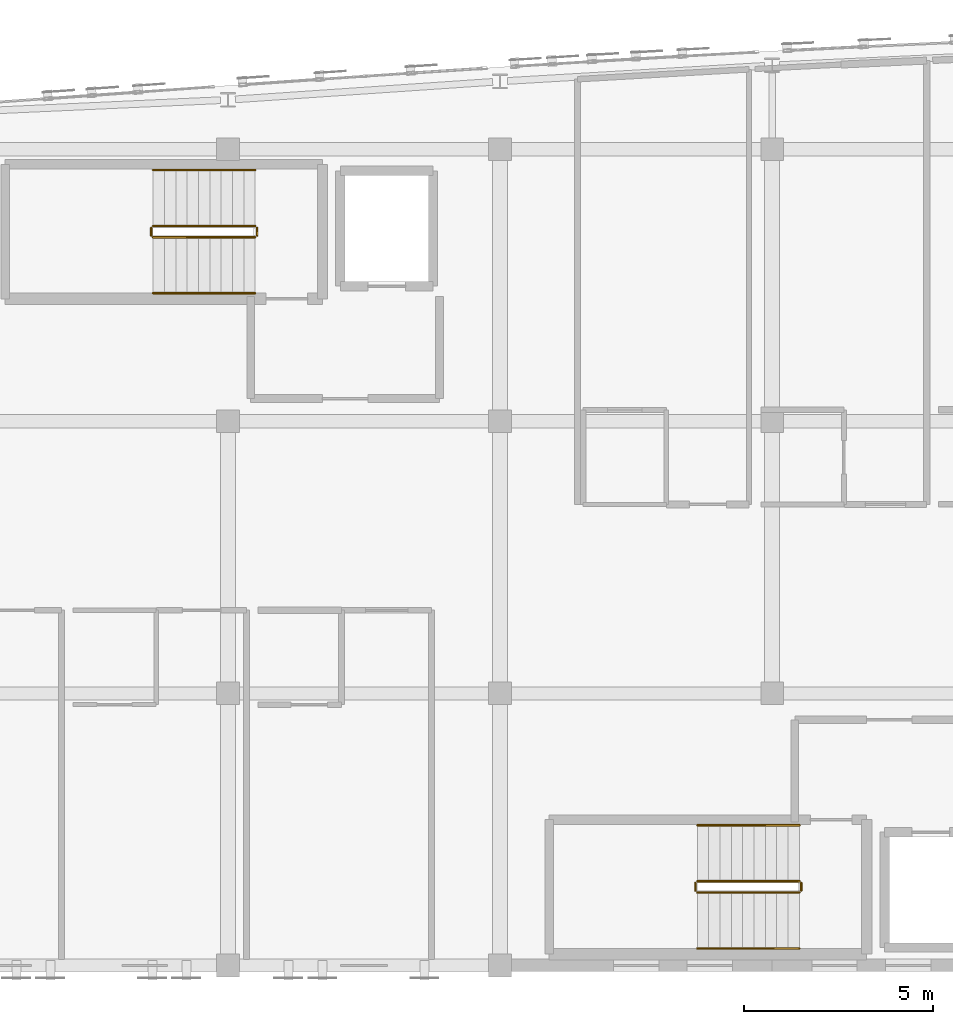
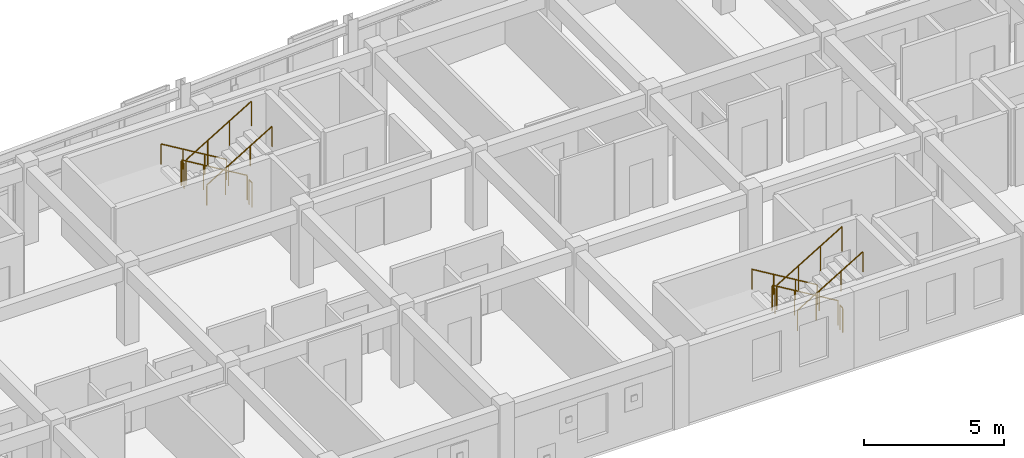
# One storey, part 44 of 45: 12 railings.
"""IFC4 building model written with IfcOpenShell, lengths in metres."""

from ifc_helpers import new_model, si_unit, direction, frame, origin, origin_2d, place, context, subcontext, project, spatial, circle, extrude, material, layer, layer_set, type_object, element, save


model = new_model("IFC4")

# Units and contexts
model_context = context("Model", 3, precision=1e-05, world=origin(), true_north=direction((0.0, 1.0)))
body_context = subcontext(model_context, "Body", "Model", "MODEL_VIEW")
ifc_project = project(units=[si_unit("LENGTHUNIT", "METRE"), si_unit("AREAUNIT", "SQUARE_METRE"), si_unit("VOLUMEUNIT", "CUBIC_METRE"), si_unit("PLANEANGLEUNIT", "RADIAN"), si_unit("MASSUNIT", "GRAM", prefix="KILO")], contexts=[model_context])

# Site, building, storey
site_placement = place(None, origin())
site = spatial("IfcSite", under=ifc_project, at=site_placement, CompositionType="ELEMENT")
building_placement = place(site_placement, origin())
building = spatial("IfcBuilding", under=site, at=building_placement, Name="Carrowvane Square Congress Hotel", CompositionType="ELEMENT")
storey_placement = place(building_placement, frame((0.0, 0.0, 33.60009765625)))
storey = spatial("IfcBuildingStorey", under=building, at=storey_placement, Name="L08", CompositionType="ELEMENT", Elevation=33.60009765625)

# Railings
ifc_material_1 = material(Name="Stainless steel 316", Category="steel")
ifc_layer_1 = layer(ifc_material_1, 0.048095703125)
ifc_layer_set_1 = layer_set([ifc_layer_1], Name="Stainless steel 316")
railing_type_1 = type_object("IfcRailingType", Name="RLG-HR-900", PredefinedType="HANDRAIL", material=ifc_layer_set_1)
railing_1_placement = place(storey_placement, frame((62.719970703125, 112.85009765625, 0.179931640625)))
element("IfcRailing", 1, at=railing_1_placement, inside=storey, type_object=railing_type_1, Name="L08 ST1 stair handrail 1", PredefinedType="HANDRAIL", context=body_context, shape_type="SweptSolid", body=[
    extrude(circle(Radius=0.02392578125, at=origin_2d()), frame((0.0, 0.0, 0.8759765625), z_axis=(-0.857506608807, 0.0, 0.514472949583), x_axis=(0.0, -1.0, 0.0)), (0.0, 0.0, 1.0), 3.148681640625),
    extrude(circle(Radius=0.02099609375, at=origin_2d()), origin(), (0.0, 0.0, 1.0), 0.851806640625),
    extrude(circle(Radius=0.02099609375, at=origin_2d()), frame((-0.89990234375, 0.0, 0.5400390625)), (0.0, 0.0, 1.0), 0.851806640625),
    extrude(circle(Radius=0.02099609375, at=origin_2d()), frame((-1.800048828125, 0.0, 1.079833984375)), (0.0, 0.0, 1.0), 0.851806640625),
    extrude(circle(Radius=0.02099609375, at=origin_2d()), frame((-2.699951171875, 0.0, 1.619873046875)), (0.0, 0.0, 1.0), 0.851806640625),
])
railing_2_placement = place(storey_placement, frame((60.02001953125, 109.590087890625, 1.97998046875)))
element("IfcRailing", 2, at=railing_2_placement, inside=storey, type_object=railing_type_1, Name="L08 ST1 stair handrail 2", PredefinedType="HANDRAIL", context=body_context, shape_type="SweptSolid", body=[
    extrude(circle(Radius=0.02392578125, at=origin_2d()), frame((0.0, 0.0, 0.8759765625), z_axis=(0.857506608807, 0.0, 0.514472949583), x_axis=(0.0, 1.0, 0.0)), (0.0, 0.0, 1.0), 3.148681640625),
    extrude(circle(Radius=0.02099609375, at=origin_2d()), origin(), (0.0, 0.0, 1.0), 0.851806640625),
    extrude(circle(Radius=0.02099609375, at=origin_2d()), frame((0.89990234375, 0.0, 0.5400390625)), (0.0, 0.0, 1.0), 0.851806640625),
    extrude(circle(Radius=0.02099609375, at=origin_2d()), frame((1.800048828125, 0.0, 1.079833984375)), (0.0, 0.0, 1.0), 0.851806640625),
    extrude(circle(Radius=0.02099609375, at=origin_2d()), frame((2.699951171875, 0.0, 1.619873046875)), (0.0, 0.0, 1.0), 0.851806640625),
])
railing_3_placement = place(storey_placement, frame((77.1201171875, 95.510009765625, 0.179931640625)))
element("IfcRailing", 3, at=railing_3_placement, inside=storey, type_object=railing_type_1, Name="L08 ST2 stair handrail 1", PredefinedType="HANDRAIL", context=body_context, shape_type="SweptSolid", body=[
    extrude(circle(Radius=0.02392578125, at=origin_2d()), frame((0.0, 0.0, 0.8759765625), z_axis=(-0.857527130037, 0.0, 0.514438743924), x_axis=(0.0, -1.0, 0.0)), (0.0, 0.0, 1.0), 3.14892578125),
    extrude(circle(Radius=0.02099609375, at=origin_2d()), origin(), (0.0, 0.0, 1.0), 0.851806640625),
    extrude(circle(Radius=0.02099609375, at=origin_2d()), frame((-0.900146484375, 0.0, 0.5400390625)), (0.0, 0.0, 1.0), 0.851806640625),
    extrude(circle(Radius=0.02099609375, at=origin_2d()), frame((-1.800048828125, 0.0, 1.079833984375)), (0.0, 0.0, 1.0), 0.851806640625),
    extrude(circle(Radius=0.02099609375, at=origin_2d()), frame((-2.7001953125, 0.0, 1.619873046875)), (0.0, 0.0, 1.0), 0.851806640625),
])
railing_4_placement = place(storey_placement, frame((74.419921875, 92.25, 1.97998046875)))
element("IfcRailing", 4, at=railing_4_placement, inside=storey, type_object=railing_type_1, Name="L08 ST2 stair handrail 2", PredefinedType="HANDRAIL", context=body_context, shape_type="SweptSolid", body=[
    extrude(circle(Radius=0.02392578125, at=origin_2d()), frame((0.0, 0.0, 0.8759765625), z_axis=(0.857527130037, 0.0, 0.514438743924), x_axis=(0.0, 1.0, 0.0)), (0.0, 0.0, 1.0), 3.14892578125),
    extrude(circle(Radius=0.02099609375, at=origin_2d()), origin(), (0.0, 0.0, 1.0), 0.851806640625),
    extrude(circle(Radius=0.02099609375, at=origin_2d()), frame((0.900146484375, 0.0, 0.5400390625)), (0.0, 0.0, 1.0), 0.851806640625),
    extrude(circle(Radius=0.02099609375, at=origin_2d()), frame((1.800048828125, 0.0, 1.079833984375)), (0.0, 0.0, 1.0), 0.851806640625),
    extrude(circle(Radius=0.02099609375, at=origin_2d()), frame((2.7001953125, 0.0, 1.619873046875)), (0.0, 0.0, 1.0), 0.851806640625),
])
ifc_material_2 = material(Name="Galvanised steel", Category="steel")
ifc_layer_2 = layer(ifc_material_2, 0.048095703125)
ifc_layer_set_2 = layer_set([ifc_layer_2], Name="Galvanised steel")
railing_type_2 = type_object("IfcRailingType", Name="RLG-STG-1100", PredefinedType="GUARDRAIL", material=ifc_layer_set_2)
railing_5_placement = place(storey_placement, frame((62.719970703125, 111.3701171875, 0.179931640625)))
element("IfcRailing", 5, at=railing_5_placement, inside=storey, type_object=railing_type_2, Name="L08 ST1 stair guard 1", PredefinedType="GUARDRAIL", context=body_context, shape_type="SweptSolid", body=[
    extrude(circle(Radius=0.02392578125, at=origin_2d()), frame((0.0, 0.0, 1.076171875), z_axis=(-0.857506608807, 0.0, 0.514472949583), x_axis=(0.0, -1.0, 0.0)), (0.0, 0.0, 1.0), 3.148681640625),
    extrude(circle(Radius=0.02099609375, at=origin_2d()), origin(), (0.0, 0.0, 1.0), 1.052001953125),
    extrude(circle(Radius=0.02099609375, at=origin_2d()), frame((-0.89990234375, 0.0, 0.5400390625)), (0.0, 0.0, 1.0), 1.052001953125),
    extrude(circle(Radius=0.02099609375, at=origin_2d()), frame((-1.800048828125, 0.0, 1.079833984375)), (0.0, 0.0, 1.0), 1.052001953125),
    extrude(circle(Radius=0.02099609375, at=origin_2d()), frame((-2.699951171875, 0.0, 1.619873046875)), (0.0, 0.0, 1.0), 1.052001953125),
])
railing_6_placement = place(storey_placement, frame((59.969970703125, 111.320068359375, 1.7998046875)))
element("IfcRailing", 6, at=railing_6_placement, inside=storey, type_object=railing_type_2, Name="L08 ST1 stair guard 2", PredefinedType="GUARDRAIL", context=body_context, shape_type="SweptSolid", body=[
    extrude(circle(Radius=0.02392578125, at=origin_2d()), frame((0.0, 0.0, 1.076171875), z_axis=(0.0, -1.0, 0.0), x_axis=(1.0, 0.0, 0.0)), (0.0, 0.0, 1.0), 0.199951171875),
    extrude(circle(Radius=0.02099609375, at=origin_2d()), origin(), (0.0, 0.0, 1.0), 1.052001953125),
    extrude(circle(Radius=0.02099609375, at=origin_2d()), frame((0.0, -0.199951171875, 0.0)), (0.0, 0.0, 1.0), 1.052001953125),
])
railing_7_placement = place(storey_placement, frame((60.02001953125, 111.070068359375, 1.97998046875)))
element("IfcRailing", 7, at=railing_7_placement, inside=storey, type_object=railing_type_2, Name="L08 ST1 stair guard 3", PredefinedType="GUARDRAIL", context=body_context, shape_type="SweptSolid", body=[
    extrude(circle(Radius=0.02392578125, at=origin_2d()), frame((0.0, 0.0, 1.076171875), z_axis=(0.857506608807, 0.0, 0.514472949583), x_axis=(0.0, 1.0, 0.0)), (0.0, 0.0, 1.0), 3.148681640625),
    extrude(circle(Radius=0.02099609375, at=origin_2d()), origin(), (0.0, 0.0, 1.0), 1.052001953125),
    extrude(circle(Radius=0.02099609375, at=origin_2d()), frame((0.89990234375, 0.0, 0.5400390625)), (0.0, 0.0, 1.0), 1.052001953125),
    extrude(circle(Radius=0.02099609375, at=origin_2d()), frame((1.800048828125, 0.0, 1.079833984375)), (0.0, 0.0, 1.0), 1.052001953125),
    extrude(circle(Radius=0.02099609375, at=origin_2d()), frame((2.699951171875, 0.0, 1.619873046875)), (0.0, 0.0, 1.0), 1.052001953125),
])
railing_8_placement = place(storey_placement, frame((62.77001953125, 111.320068359375, 0.0)))
element("IfcRailing", 8, at=railing_8_placement, inside=storey, type_object=railing_type_2, Name="L08 ST1 stair guard 4", PredefinedType="GUARDRAIL", context=body_context, shape_type="SweptSolid", body=[
    extrude(circle(Radius=0.02392578125, at=origin_2d()), frame((0.0, 0.0, 1.076171875), z_axis=(0.0, -1.0, 0.0), x_axis=(1.0, 0.0, 0.0)), (0.0, 0.0, 1.0), 0.199951171875),
    extrude(circle(Radius=0.02099609375, at=origin_2d()), origin(), (0.0, 0.0, 1.0), 1.052001953125),
    extrude(circle(Radius=0.02099609375, at=origin_2d()), frame((0.0, -0.199951171875, 0.0)), (0.0, 0.0, 1.0), 1.052001953125),
])
railing_9_placement = place(storey_placement, frame((77.1201171875, 94.030029296875, 0.179931640625)))
element("IfcRailing", 9, at=railing_9_placement, inside=storey, type_object=railing_type_2, Name="L08 ST2 stair guard 1", PredefinedType="GUARDRAIL", context=body_context, shape_type="SweptSolid", body=[
    extrude(circle(Radius=0.02392578125, at=origin_2d()), frame((0.0, 0.0, 1.076171875), z_axis=(-0.857527130037, 0.0, 0.514438743924), x_axis=(0.0, -1.0, 0.0)), (0.0, 0.0, 1.0), 3.14892578125),
    extrude(circle(Radius=0.02099609375, at=origin_2d()), origin(), (0.0, 0.0, 1.0), 1.052001953125),
    extrude(circle(Radius=0.02099609375, at=origin_2d()), frame((-0.900146484375, 0.0, 0.5400390625)), (0.0, 0.0, 1.0), 1.052001953125),
    extrude(circle(Radius=0.02099609375, at=origin_2d()), frame((-1.800048828125, 0.0, 1.079833984375)), (0.0, 0.0, 1.0), 1.052001953125),
    extrude(circle(Radius=0.02099609375, at=origin_2d()), frame((-2.7001953125, 0.0, 1.619873046875)), (0.0, 0.0, 1.0), 1.052001953125),
])
railing_10_placement = place(storey_placement, frame((74.3701171875, 93.97998046875, 1.7998046875)))
element("IfcRailing", 10, at=railing_10_placement, inside=storey, type_object=railing_type_2, Name="L08 ST2 stair guard 2", PredefinedType="GUARDRAIL", context=body_context, shape_type="SweptSolid", body=[
    extrude(circle(Radius=0.02392578125, at=origin_2d()), frame((0.0, 0.0, 1.076171875), z_axis=(0.0, -1.0, 0.0), x_axis=(1.0, 0.0, 0.0)), (0.0, 0.0, 1.0), 0.199951171875),
    extrude(circle(Radius=0.02099609375, at=origin_2d()), origin(), (0.0, 0.0, 1.0), 1.052001953125),
    extrude(circle(Radius=0.02099609375, at=origin_2d()), frame((0.0, -0.199951171875, 0.0)), (0.0, 0.0, 1.0), 1.052001953125),
])
railing_11_placement = place(storey_placement, frame((74.419921875, 93.72998046875, 1.97998046875)))
element("IfcRailing", 11, at=railing_11_placement, inside=storey, type_object=railing_type_2, Name="L08 ST2 stair guard 3", PredefinedType="GUARDRAIL", context=body_context, shape_type="SweptSolid", body=[
    extrude(circle(Radius=0.02392578125, at=origin_2d()), frame((0.0, 0.0, 1.076171875), z_axis=(0.857527130037, 0.0, 0.514438743924), x_axis=(0.0, 1.0, 0.0)), (0.0, 0.0, 1.0), 3.14892578125),
    extrude(circle(Radius=0.02099609375, at=origin_2d()), origin(), (0.0, 0.0, 1.0), 1.052001953125),
    extrude(circle(Radius=0.02099609375, at=origin_2d()), frame((0.900146484375, 0.0, 0.5400390625)), (0.0, 0.0, 1.0), 1.052001953125),
    extrude(circle(Radius=0.02099609375, at=origin_2d()), frame((1.800048828125, 0.0, 1.079833984375)), (0.0, 0.0, 1.0), 1.052001953125),
    extrude(circle(Radius=0.02099609375, at=origin_2d()), frame((2.7001953125, 0.0, 1.619873046875)), (0.0, 0.0, 1.0), 1.052001953125),
])
railing_12_placement = place(storey_placement, frame((77.169921875, 93.97998046875, 0.0)))
element("IfcRailing", 12, at=railing_12_placement, inside=storey, type_object=railing_type_2, Name="L08 ST2 stair guard 4", PredefinedType="GUARDRAIL", context=body_context, shape_type="SweptSolid", body=[
    extrude(circle(Radius=0.02392578125, at=origin_2d()), frame((0.0, 0.0, 1.076171875), z_axis=(0.0, -1.0, 0.0), x_axis=(1.0, 0.0, 0.0)), (0.0, 0.0, 1.0), 0.199951171875),
    extrude(circle(Radius=0.02099609375, at=origin_2d()), origin(), (0.0, 0.0, 1.0), 1.052001953125),
    extrude(circle(Radius=0.02099609375, at=origin_2d()), frame((0.0, -0.199951171875, 0.0)), (0.0, 0.0, 1.0), 1.052001953125),
])

save(model, "model.ifc")
